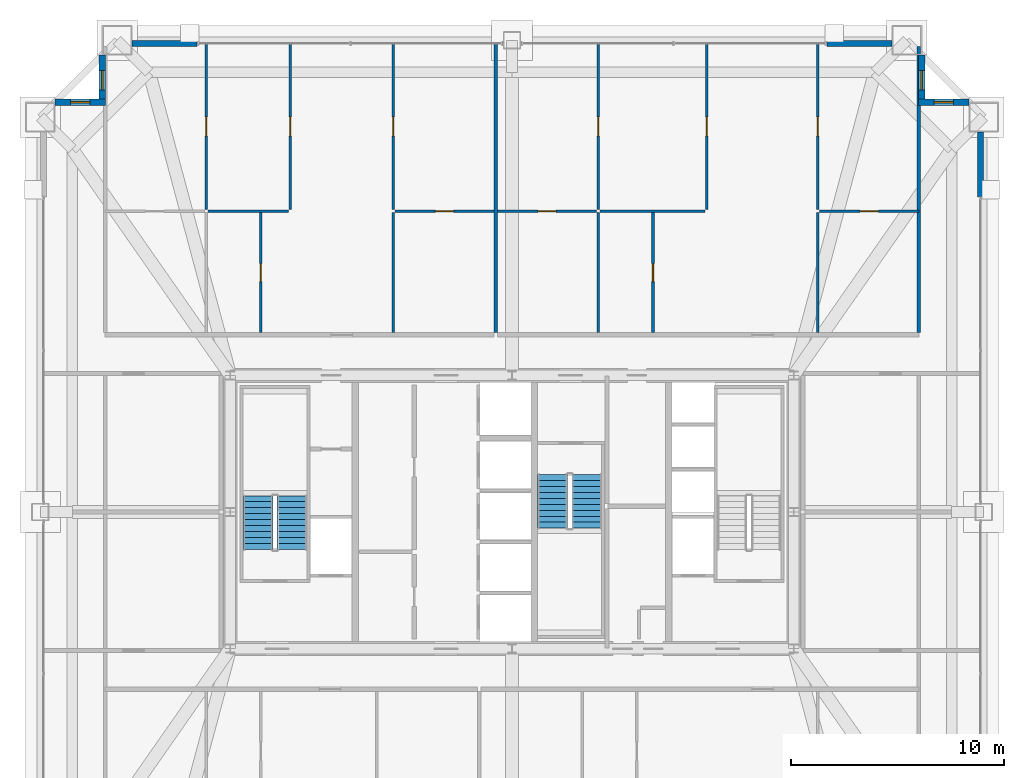
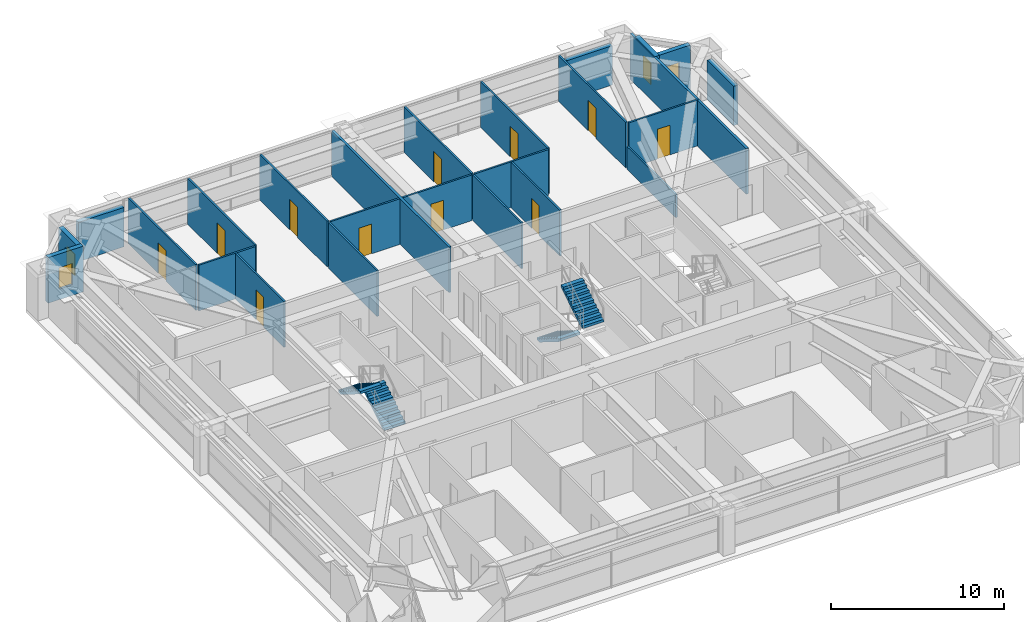
# One storey, part 37 of 39: 25 walls, 11 doors, 4 stair flights, 4 windows, 15 openings, 2 elements without a shape of their own.
"""IFC4 building model written with IfcOpenShell, lengths in metres."""

from ifc_helpers import new_model, si_unit, direction, frame, frame_2d, origin, place, context, subcontext, project, spatial, polyline, rectangle, outline, extrude, source, transform, mapped, material, layer, layer_set, type_object, element, fill, aggregate, save


model = new_model("IFC4")

# Units and contexts
model_context = context("Model", 3, precision=1e-05, world=origin(), true_north=direction((0.0, 1.0)))
body_context = subcontext(model_context, "Body", "Model", "MODEL_VIEW")
ifc_project = project(units=[si_unit("LENGTHUNIT", "METRE"), si_unit("AREAUNIT", "SQUARE_METRE"), si_unit("VOLUMEUNIT", "CUBIC_METRE"), si_unit("PLANEANGLEUNIT", "RADIAN"), si_unit("MASSUNIT", "GRAM", prefix="KILO"), si_unit("THERMODYNAMICTEMPERATUREUNIT", "KELVIN"), si_unit("POWERUNIT", "WATT")], contexts=[model_context])

# Site, building, storey
site_placement = place(None, origin())
site = spatial("IfcSite", under=ifc_project, at=site_placement, CompositionType="ELEMENT")
building_placement = place(site_placement, origin())
building = spatial("IfcBuilding", under=site, at=building_placement, Name="Yuzanri Waterfront Tower", CompositionType="ELEMENT")
storey_placement = place(building_placement, frame((0.0, 0.0, 216.0)))
storey = spatial("IfcBuildingStorey", under=building, at=storey_placement, Name="L57", CompositionType="ELEMENT", Elevation=216.0)

# Wall, opening, door
ifc_material_1 = material(Name="Moisture-Resistant Gypsum Stud Wall", Category="gypsum")
ifc_layer_1 = layer(ifc_material_1, 0.1201171875)
ifc_layer_set_1 = layer_set([ifc_layer_1], Name="Moisture-Resistant Gypsum Stud Wall")
wall_type_1 = type_object("IfcWallType", Name="Bathroom and Kitchen Wet Partition 120", PredefinedType="PARTITIONING", material=ifc_layer_set_1)
wall_1_placement = place(storey_placement, frame((25.22705078125, 34.2099609375, 0.0), z_axis=(0.0, 0.0, 1.0), x_axis=(0.0, 1.0, 0.0)))
wall_1 = element("IfcWall", 1, at=wall_1_placement, inside=storey, type_object=wall_type_1, Name="L57 Partition UW-L57-RN1-SUB-2-E", PredefinedType="PARTITIONING", context=body_context, shape_type="SweptSolid", body=[
    extrude(rectangle(XDim=5.610107421875, YDim=0.1201171875, at=frame_2d((2.80517578125, 0.0))), origin(), (0.0, 0.0, 1.0), 3.219970703125),
])
opening_1_placement = place(wall_1_placement, frame((2.3798828125, 0.0, 0.0)))
opening_1 = element("IfcOpeningElement", 2, at=opening_1_placement, cuts=wall_1, Name="Opening ID-0850", PredefinedType="OPENING", context=body_context, shape_type="SweptSolid", body=[
    extrude(rectangle(XDim=0.85009765625, YDim=2.10009765625, at=frame_2d((0.425048828125, 1.050048828125))), frame((0.0, 0.074951171875, 0.0), z_axis=(0.0, -1.0, 0.0), x_axis=(1.0, 0.0, 0.0)), (0.0, 0.0, 1.0), 0.14990234375),
])
ifc_material_2 = material(Name="Moisture-Resistant Lacquered Timber", Category="wood")
door_type_1 = type_object("IfcDoorType", Name="En-Suite Bathroom and Kitchen Swing Door 850x2100", OperationType="NOTDEFINED", PredefinedType="DOOR", material=ifc_material_2)
shared_shape_1 = source(origin(), body_context, "Body", "SweptSolid", [
    extrude(rectangle(XDim=0.85009765625, YDim=2.10009765625, at=frame_2d((0.425048828125, 1.050048828125))), frame((0.0, 0.02490234375, 0.0), z_axis=(0.0, -1.0, 0.0), x_axis=(1.0, 0.0, 0.0)), (0.0, 0.0, 1.0), 0.050048828125),
])
door_1_placement = place(opening_1_placement, origin())
door_1 = element("IfcDoor", 3, at=door_1_placement, inside=storey, type_object=door_type_1, Name="L57 Suite Interior Room Door", OperationType="SINGLE_SWING_LEFT", OverallHeight=2.10009765625, OverallWidth=0.85009765625, PredefinedType="DOOR", context=body_context, shape_type="MappedRepresentation", body=[
    mapped(shared_shape_1, transform((0.0, 0.0, 0.0), scale=1.0)),
])
fill(opening_1, door_1)

wall_2_placement = place(storey_placement, frame((31.510986328125, 39.89990234375, 0.0), z_axis=(0.0, 0.0, 1.0), x_axis=(1.0, 0.0, 0.0)))
wall_2 = element("IfcWall", 4, at=wall_2_placement, inside=storey, type_object=wall_type_1, Name="L57 Partition UW-L57-RN1-SUB-3-N", PredefinedType="PARTITIONING", context=body_context, shape_type="SweptSolid", body=[
    extrude(rectangle(XDim=4.64697265625, YDim=0.1201171875, at=frame_2d((2.323486328125, 0.0))), origin(), (0.0, 0.0, 1.0), 3.219970703125),
])
opening_2_placement = place(wall_2_placement, frame((1.8984375, 0.0, 0.0)))
opening_2 = element("IfcOpeningElement", 5, at=opening_2_placement, cuts=wall_2, Name="Opening ID-0850", PredefinedType="OPENING", context=body_context, shape_type="SweptSolid", body=[
    extrude(rectangle(XDim=0.85009765625, YDim=2.10009765625, at=frame_2d((0.425048828125, 1.050048828125))), frame((0.0, 0.074951171875, 0.0), z_axis=(0.0, -1.0, 0.0), x_axis=(1.0, 0.0, 0.0)), (0.0, 0.0, 1.0), 0.14990234375),
])
door_2_placement = place(opening_2_placement, origin())
door_2 = element("IfcDoor", 6, at=door_2_placement, inside=storey, type_object=door_type_1, Name="L57 Suite Interior Room Door", OperationType="SINGLE_SWING_RIGHT", OverallHeight=2.10009765625, OverallWidth=0.85009765625, PredefinedType="DOOR", context=body_context, shape_type="MappedRepresentation", body=[
    mapped(shared_shape_1, transform((0.0, 0.0, 0.0), scale=1.0)),
])
fill(opening_2, door_2)

wall_3_placement = place(storey_placement, frame((22.6669921875, 39.97998046875, 0.0), z_axis=(0.0, 0.0, 1.0), x_axis=(0.0, 1.0, 0.0)))
wall_3 = element("IfcWall", 7, at=wall_3_placement, inside=storey, type_object=wall_type_1, Name="L57 Partition UW-L57-RN1-SUB-4-E", PredefinedType="PARTITIONING", context=body_context, shape_type="SweptSolid", body=[
    extrude(rectangle(XDim=7.77001953125, YDim=0.1201171875, at=frame_2d((3.885009765625, 0.0))), origin(), (0.0, 0.0, 1.0), 3.219970703125),
])
opening_3_placement = place(wall_3_placement, frame((3.43505859375, 0.0, 0.0)))
opening_3 = element("IfcOpeningElement", 8, at=opening_3_placement, cuts=wall_3, Name="Opening ID-0900", PredefinedType="OPENING", context=body_context, shape_type="SweptSolid", body=[
    extrude(rectangle(XDim=0.89990234375, YDim=2.14990234375, at=frame_2d((0.449951171875, 1.074951171875))), frame((0.0, 0.074951171875, 0.0), z_axis=(0.0, -1.0, 0.0), x_axis=(1.0, 0.0, 0.0)), (0.0, 0.0, 1.0), 0.14990234375),
])
ifc_material_3 = material(Name="Stained Walnut Veneer Timber", Category="wood")
door_type_2 = type_object("IfcDoorType", Name="Bedroom and Study Interior Swing Door 900x2150", OperationType="NOTDEFINED", PredefinedType="DOOR", material=ifc_material_3)
shared_shape_2 = source(origin(), body_context, "Body", "SweptSolid", [
    extrude(rectangle(XDim=0.89990234375, YDim=2.14990234375, at=frame_2d((0.449951171875, 1.074951171875))), frame((0.0, 0.02490234375, 0.0), z_axis=(0.0, -1.0, 0.0), x_axis=(1.0, 0.0, 0.0)), (0.0, 0.0, 1.0), 0.050048828125),
])
door_3_placement = place(opening_3_placement, origin())
door_3 = element("IfcDoor", 9, at=door_3_placement, inside=storey, type_object=door_type_2, Name="L57 Suite Interior Room Door", OperationType="SINGLE_SWING_LEFT", OverallHeight=2.14990234375, OverallWidth=0.89990234375, PredefinedType="DOOR", context=body_context, shape_type="MappedRepresentation", body=[
    mapped(shared_shape_2, transform((0.0, 0.0, 0.0), scale=1.0)),
])
fill(opening_3, door_3)

wall_4_placement = place(storey_placement, frame((31.430908203125, 39.97998046875, 0.0), z_axis=(0.0, 0.0, 1.0), x_axis=(0.0, 1.0, 0.0)))
wall_4 = element("IfcWall", 10, at=wall_4_placement, inside=storey, type_object=wall_type_1, Name="L57 Partition UW-L57-RN1-SUB-5-W", PredefinedType="PARTITIONING", context=body_context, shape_type="SweptSolid", body=[
    extrude(rectangle(XDim=7.77001953125, YDim=0.1201171875, at=frame_2d((3.885009765625, 0.0))), origin(), (0.0, 0.0, 1.0), 3.219970703125),
])
opening_4_placement = place(wall_4_placement, frame((3.43505859375, 0.0, 0.0)))
opening_4 = element("IfcOpeningElement", 11, at=opening_4_placement, cuts=wall_4, Name="Opening ID-0900", PredefinedType="OPENING", context=body_context, shape_type="SweptSolid", body=[
    extrude(rectangle(XDim=0.89990234375, YDim=2.14990234375, at=frame_2d((0.449951171875, 1.074951171875))), frame((0.0, 0.074951171875, 0.0), z_axis=(0.0, -1.0, 0.0), x_axis=(1.0, 0.0, 0.0)), (0.0, 0.0, 1.0), 0.14990234375),
])
door_4_placement = place(opening_4_placement, origin())
door_4 = element("IfcDoor", 12, at=door_4_placement, inside=storey, type_object=door_type_2, Name="L57 Suite Interior Room Door", OperationType="SINGLE_SWING_RIGHT", OverallHeight=2.14990234375, OverallWidth=0.89990234375, PredefinedType="DOOR", context=body_context, shape_type="MappedRepresentation", body=[
    mapped(shared_shape_2, transform((0.0, 0.0, 0.0), scale=1.0)),
])
fill(opening_4, door_4)

wall_5_placement = place(storey_placement, frame((26.613037109375, 39.97998046875, 0.0), z_axis=(0.0, 0.0, 1.0), x_axis=(0.0, 1.0, 0.0)))
wall_5 = element("IfcWall", 13, at=wall_5_placement, inside=storey, type_object=wall_type_1, Name="L57 Partition UW-L57-RN1-SUB-6-E", PredefinedType="PARTITIONING", context=body_context, shape_type="SweptSolid", body=[
    extrude(rectangle(XDim=7.77001953125, YDim=0.1201171875, at=frame_2d((3.885009765625, 0.0))), origin(), (0.0, 0.0, 1.0), 3.219970703125),
])
opening_5_placement = place(wall_5_placement, frame((3.43505859375, 0.0, 0.0)))
opening_5 = element("IfcOpeningElement", 14, at=opening_5_placement, cuts=wall_5, Name="Opening ID-0900", PredefinedType="OPENING", context=body_context, shape_type="SweptSolid", body=[
    extrude(rectangle(XDim=0.89990234375, YDim=2.14990234375, at=frame_2d((0.449951171875, 1.074951171875))), frame((0.0, 0.074951171875, 0.0), z_axis=(0.0, -1.0, 0.0), x_axis=(1.0, 0.0, 0.0)), (0.0, 0.0, 1.0), 0.14990234375),
])
door_5_placement = place(opening_5_placement, origin())
door_5 = element("IfcDoor", 15, at=door_5_placement, inside=storey, type_object=door_type_2, Name="L57 Suite Interior Room Door", OperationType="SINGLE_SWING_LEFT", OverallHeight=2.14990234375, OverallWidth=0.89990234375, PredefinedType="DOOR", context=body_context, shape_type="MappedRepresentation", body=[
    mapped(shared_shape_2, transform((0.0, 0.0, 0.0), scale=1.0)),
])
fill(opening_5, door_5)

wall_6_placement = place(storey_placement, frame((36.318115234375, 39.89990234375, 0.0), z_axis=(0.0, 0.0, 1.0), x_axis=(1.0, 0.0, 0.0)))
wall_6 = element("IfcWall", 16, at=wall_6_placement, inside=storey, type_object=wall_type_1, Name="L57 Partition UW-L57-RN2-SUB-1-N", PredefinedType="PARTITIONING", context=body_context, shape_type="SweptSolid", body=[
    extrude(rectangle(XDim=4.64697265625, YDim=0.1201171875, at=frame_2d((2.323486328125, 0.0))), origin(), (0.0, 0.0, 1.0), 3.219970703125),
])
opening_6_placement = place(wall_6_placement, frame((1.8984375, 0.0, 0.0)))
opening_6 = element("IfcOpeningElement", 17, at=opening_6_placement, cuts=wall_6, Name="Opening ID-0850", PredefinedType="OPENING", context=body_context, shape_type="SweptSolid", body=[
    extrude(rectangle(XDim=0.85009765625, YDim=2.10009765625, at=frame_2d((0.425048828125, 1.050048828125))), frame((0.0, 0.074951171875, 0.0), z_axis=(0.0, -1.0, 0.0), x_axis=(1.0, 0.0, 0.0)), (0.0, 0.0, 1.0), 0.14990234375),
])
door_6_placement = place(opening_6_placement, origin())
door_6 = element("IfcDoor", 18, at=door_6_placement, inside=storey, type_object=door_type_1, Name="L57 Suite Interior Room Door", OperationType="SINGLE_SWING_LEFT", OverallHeight=2.10009765625, OverallWidth=0.85009765625, PredefinedType="DOOR", context=body_context, shape_type="MappedRepresentation", body=[
    mapped(shared_shape_1, transform((0.0, 0.0, 0.0), scale=1.0)),
])
fill(opening_6, door_6)

wall_7_placement = place(storey_placement, frame((43.60498046875, 34.2099609375, 0.0), z_axis=(0.0, 0.0, 1.0), x_axis=(0.0, 1.0, 0.0)))
wall_7 = element("IfcWall", 19, at=wall_7_placement, inside=storey, type_object=wall_type_1, Name="L57 Partition UW-L57-RN2-SUB-2-E", PredefinedType="PARTITIONING", context=body_context, shape_type="SweptSolid", body=[
    extrude(rectangle(XDim=5.610107421875, YDim=0.1201171875, at=frame_2d((2.80517578125, 0.0))), origin(), (0.0, 0.0, 1.0), 3.219970703125),
])
opening_7_placement = place(wall_7_placement, frame((2.3798828125, 0.0, 0.0)))
opening_7 = element("IfcOpeningElement", 20, at=opening_7_placement, cuts=wall_7, Name="Opening ID-0850", PredefinedType="OPENING", context=body_context, shape_type="SweptSolid", body=[
    extrude(rectangle(XDim=0.85009765625, YDim=2.10009765625, at=frame_2d((0.425048828125, 1.050048828125))), frame((0.0, 0.074951171875, 0.0), z_axis=(0.0, -1.0, 0.0), x_axis=(1.0, 0.0, 0.0)), (0.0, 0.0, 1.0), 0.14990234375),
])
door_7_placement = place(opening_7_placement, origin())
door_7 = element("IfcDoor", 21, at=door_7_placement, inside=storey, type_object=door_type_1, Name="L57 Suite Interior Room Door", OperationType="SINGLE_SWING_RIGHT", OverallHeight=2.10009765625, OverallWidth=0.85009765625, PredefinedType="DOOR", context=body_context, shape_type="MappedRepresentation", body=[
    mapped(shared_shape_1, transform((0.0, 0.0, 0.0), scale=1.0)),
])
fill(opening_7, door_7)

wall_8_placement = place(storey_placement, frame((51.4130859375, 39.89990234375, 0.0), z_axis=(0.0, 0.0, 1.0), x_axis=(1.0, 0.0, 0.0)))
wall_8 = element("IfcWall", 22, at=wall_8_placement, inside=storey, type_object=wall_type_1, Name="L57 Partition UW-L57-RN2-SUB-3-N", PredefinedType="PARTITIONING", context=body_context, shape_type="SweptSolid", body=[
    extrude(rectangle(XDim=4.64697265625, YDim=0.1201171875, at=frame_2d((2.323486328125, 0.0))), origin(), (0.0, 0.0, 1.0), 3.219970703125),
])
opening_8_placement = place(wall_8_placement, frame((1.8984375, 0.0, 0.0)))
opening_8 = element("IfcOpeningElement", 23, at=opening_8_placement, cuts=wall_8, Name="Opening ID-0850", PredefinedType="OPENING", context=body_context, shape_type="SweptSolid", body=[
    extrude(rectangle(XDim=0.85009765625, YDim=2.10009765625, at=frame_2d((0.425048828125, 1.050048828125))), frame((0.0, 0.074951171875, 0.0), z_axis=(0.0, -1.0, 0.0), x_axis=(1.0, 0.0, 0.0)), (0.0, 0.0, 1.0), 0.14990234375),
])
door_8_placement = place(opening_8_placement, origin())
door_8 = element("IfcDoor", 24, at=door_8_placement, inside=storey, type_object=door_type_1, Name="L57 Suite Interior Room Door", OperationType="SINGLE_SWING_LEFT", OverallHeight=2.10009765625, OverallWidth=0.85009765625, PredefinedType="DOOR", context=body_context, shape_type="MappedRepresentation", body=[
    mapped(shared_shape_1, transform((0.0, 0.0, 0.0), scale=1.0)),
])
fill(opening_8, door_8)

wall_9_placement = place(storey_placement, frame((41.044921875, 39.97998046875, 0.0), z_axis=(0.0, 0.0, 1.0), x_axis=(0.0, 1.0, 0.0)))
wall_9 = element("IfcWall", 25, at=wall_9_placement, inside=storey, type_object=wall_type_1, Name="L57 Partition UW-L57-RN2-SUB-4-E", PredefinedType="PARTITIONING", context=body_context, shape_type="SweptSolid", body=[
    extrude(rectangle(XDim=7.77001953125, YDim=0.1201171875, at=frame_2d((3.885009765625, 0.0))), origin(), (0.0, 0.0, 1.0), 3.219970703125),
])
opening_9_placement = place(wall_9_placement, frame((3.43505859375, 0.0, 0.0)))
opening_9 = element("IfcOpeningElement", 26, at=opening_9_placement, cuts=wall_9, Name="Opening ID-0900", PredefinedType="OPENING", context=body_context, shape_type="SweptSolid", body=[
    extrude(rectangle(XDim=0.89990234375, YDim=2.14990234375, at=frame_2d((0.449951171875, 1.074951171875))), frame((0.0, 0.074951171875, 0.0), z_axis=(0.0, -1.0, 0.0), x_axis=(1.0, 0.0, 0.0)), (0.0, 0.0, 1.0), 0.14990234375),
])
door_9_placement = place(opening_9_placement, origin())
door_9 = element("IfcDoor", 27, at=door_9_placement, inside=storey, type_object=door_type_2, Name="L57 Suite Interior Room Door", OperationType="SINGLE_SWING_RIGHT", OverallHeight=2.14990234375, OverallWidth=0.89990234375, PredefinedType="DOOR", context=body_context, shape_type="MappedRepresentation", body=[
    mapped(shared_shape_2, transform((0.0, 0.0, 0.0), scale=1.0)),
])
fill(opening_9, door_9)

wall_10_placement = place(storey_placement, frame((51.3330078125, 39.97998046875, 0.0), z_axis=(0.0, 0.0, 1.0), x_axis=(0.0, 1.0, 0.0)))
wall_10 = element("IfcWall", 28, at=wall_10_placement, inside=storey, type_object=wall_type_1, Name="L57 Partition UW-L57-RN2-SUB-5-W", PredefinedType="PARTITIONING", context=body_context, shape_type="SweptSolid", body=[
    extrude(rectangle(XDim=7.77001953125, YDim=0.1201171875, at=frame_2d((3.885009765625, 0.0))), origin(), (0.0, 0.0, 1.0), 3.219970703125),
])
opening_10_placement = place(wall_10_placement, frame((3.43505859375, 0.0, 0.0)))
opening_10 = element("IfcOpeningElement", 29, at=opening_10_placement, cuts=wall_10, Name="Opening ID-0900", PredefinedType="OPENING", context=body_context, shape_type="SweptSolid", body=[
    extrude(rectangle(XDim=0.89990234375, YDim=2.14990234375, at=frame_2d((0.449951171875, 1.074951171875))), frame((0.0, 0.074951171875, 0.0), z_axis=(0.0, -1.0, 0.0), x_axis=(1.0, 0.0, 0.0)), (0.0, 0.0, 1.0), 0.14990234375),
])
door_10_placement = place(opening_10_placement, origin())
door_10 = element("IfcDoor", 30, at=door_10_placement, inside=storey, type_object=door_type_2, Name="L57 Suite Interior Room Door", OperationType="SINGLE_SWING_LEFT", OverallHeight=2.14990234375, OverallWidth=0.89990234375, PredefinedType="DOOR", context=body_context, shape_type="MappedRepresentation", body=[
    mapped(shared_shape_2, transform((0.0, 0.0, 0.0), scale=1.0)),
])
fill(opening_10, door_10)

wall_11_placement = place(storey_placement, frame((46.133056640625, 39.97998046875, 0.0), z_axis=(0.0, 0.0, 1.0), x_axis=(0.0, 1.0, 0.0)))
wall_11 = element("IfcWall", 31, at=wall_11_placement, inside=storey, type_object=wall_type_1, Name="L57 Partition UW-L57-RN2-SUB-6-E", PredefinedType="PARTITIONING", context=body_context, shape_type="SweptSolid", body=[
    extrude(rectangle(XDim=7.77001953125, YDim=0.1201171875, at=frame_2d((3.885009765625, 0.0))), origin(), (0.0, 0.0, 1.0), 3.219970703125),
])
opening_11_placement = place(wall_11_placement, frame((3.43505859375, 0.0, 0.0)))
opening_11 = element("IfcOpeningElement", 32, at=opening_11_placement, cuts=wall_11, Name="Opening ID-0900", PredefinedType="OPENING", context=body_context, shape_type="SweptSolid", body=[
    extrude(rectangle(XDim=0.89990234375, YDim=2.14990234375, at=frame_2d((0.449951171875, 1.074951171875))), frame((0.0, 0.074951171875, 0.0), z_axis=(0.0, -1.0, 0.0), x_axis=(1.0, 0.0, 0.0)), (0.0, 0.0, 1.0), 0.14990234375),
])
door_11_placement = place(opening_11_placement, origin())
door_11 = element("IfcDoor", 33, at=door_11_placement, inside=storey, type_object=door_type_2, Name="L57 Suite Interior Room Door", OperationType="SINGLE_SWING_RIGHT", OverallHeight=2.14990234375, OverallWidth=0.89990234375, PredefinedType="DOOR", context=body_context, shape_type="MappedRepresentation", body=[
    mapped(shared_shape_2, transform((0.0, 0.0, 0.0), scale=1.0)),
])
fill(opening_11, door_11)

# Wall, opening, window
ifc_material_4 = material(Name="Honed Chongqing Dark Basalt Stone", Category="masonry")
ifc_layer_2 = layer(ifc_material_4, 0.300048828125)
ifc_layer_set_2 = layer_set([ifc_layer_2], Name="Honed Chongqing Dark Basalt Stone")
wall_type_2 = type_object("IfcWallType", Name="Bronze Rainscreen Insulated Spandrel Portal Wall 300", PredefinedType="SOLIDWALL", material=ifc_layer_set_2)
wall_12_placement = place(storey_placement, frame((17.949951171875, 45.0, 0.0), z_axis=(0.0, 0.0, 1.0), x_axis=(-1.0, 0.0, 0.0)))
wall_12 = element("IfcWall", 34, at=wall_12_placement, inside=storey, type_object=wall_type_2, Name="L57 Notched Corner Masonry Wall NW-X", PredefinedType="SOLIDWALL", context=body_context, shape_type="SweptSolid", body=[
    extrude(rectangle(XDim=2.349853515625, YDim=0.300048828125, at=frame_2d((1.1748046875, 0.0))), origin(), (0.0, 0.0, 1.0), 3.219970703125),
])
opening_12_placement = place(wall_12_placement, frame((0.72509765625, 0.0, 0.75)))
opening_12 = element("IfcOpeningElement", 35, at=opening_12_placement, cuts=wall_12, Name="Opening WN-05", PredefinedType="OPENING", context=body_context, shape_type="SweptSolid", body=[
    extrude(rectangle(XDim=0.89990234375, YDim=1.5, at=frame_2d((0.449951171875, 0.75))), frame((0.0, 0.1650390625, 0.0), z_axis=(0.0, -1.0, 0.0), x_axis=(1.0, 0.0, 0.0)), (0.0, 0.0, 1.0), 0.329833984375),
])
ifc_material_5 = material(Name="Double-Silver Low-E Insulated Glass", Category="glass")
window_type = type_object("IfcWindowType", Name="Anodized Bronze Service and Stairwell Smoke-Vent Window 900x1500", PartitioningType="SINGLE_PANEL", PredefinedType="WINDOW", material=ifc_material_5)
shared_shape_3 = source(origin(), body_context, "Body", "SweptSolid", [
    extrude(rectangle(XDim=0.89990234375, YDim=1.5, at=frame_2d((0.449951171875, 0.75))), frame((0.0, 0.030029296875, 0.0), z_axis=(0.0, -1.0, 0.0), x_axis=(1.0, 0.0, 0.0)), (0.0, 0.0, 1.0), 0.06005859375),
])
window_1_placement = place(opening_12_placement, origin())
window_1 = element("IfcWindow", 36, at=window_1_placement, inside=storey, type_object=window_type, Name="L57 Notched Corner Window NW-X", OverallHeight=1.5, OverallWidth=0.89990234375, PartitioningType="SINGLE_PANEL", PredefinedType="WINDOW", context=body_context, shape_type="MappedRepresentation", body=[
    mapped(shared_shape_3, transform((0.0, 0.0, 0.0), scale=1.0)),
])
fill(opening_12, window_1)

wall_13_placement = place(storey_placement, frame((17.800048828125, 47.199951171875, 0.0), z_axis=(0.0, 0.0, 1.0), x_axis=(0.0, -1.0, 0.0)))
wall_13 = element("IfcWall", 37, at=wall_13_placement, inside=storey, type_object=wall_type_2, Name="L57 Notched Corner Masonry Wall NW-Y", PredefinedType="SOLIDWALL", context=body_context, shape_type="SweptSolid", body=[
    extrude(rectangle(XDim=2.349853515625, YDim=0.300048828125, at=frame_2d((1.1748046875, 0.0))), origin(), (0.0, 0.0, 1.0), 3.219970703125),
])
opening_13_placement = place(wall_13_placement, frame((0.72509765625, 0.0, 0.75)))
opening_13 = element("IfcOpeningElement", 38, at=opening_13_placement, cuts=wall_13, Name="Opening WN-05", PredefinedType="OPENING", context=body_context, shape_type="SweptSolid", body=[
    extrude(rectangle(XDim=0.89990234375, YDim=1.5, at=frame_2d((0.449951171875, 0.75))), frame((0.0, 0.1650390625, 0.0), z_axis=(0.0, -1.0, 0.0), x_axis=(1.0, 0.0, 0.0)), (0.0, 0.0, 1.0), 0.329833984375),
])
window_2_placement = place(opening_13_placement, origin())
window_2 = element("IfcWindow", 39, at=window_2_placement, inside=storey, type_object=window_type, Name="L57 Notched Corner Window NW-Y", OverallHeight=1.5, OverallWidth=0.89990234375, PartitioningType="SINGLE_PANEL", PredefinedType="WINDOW", context=body_context, shape_type="MappedRepresentation", body=[
    mapped(shared_shape_3, transform((0.0, 0.0, 0.0), scale=1.0)),
])
fill(opening_13, window_2)

wall_14_placement = place(storey_placement, frame((58.39990234375, 45.0, 0.0), z_axis=(0.0, 0.0, 1.0), x_axis=(-1.0, 0.0, 0.0)))
wall_14 = element("IfcWall", 40, at=wall_14_placement, inside=storey, type_object=wall_type_2, Name="L57 Notched Corner Masonry Wall NE-X", PredefinedType="SOLIDWALL", context=body_context, shape_type="SweptSolid", body=[
    extrude(rectangle(XDim=2.349853515625, YDim=0.300048828125, at=frame_2d((1.1748046875, 0.0))), origin(), (0.0, 0.0, 1.0), 3.219970703125),
])
opening_14_placement = place(wall_14_placement, frame((0.72509765625, 0.0, 0.75)))
opening_14 = element("IfcOpeningElement", 41, at=opening_14_placement, cuts=wall_14, Name="Opening WN-05", PredefinedType="OPENING", context=body_context, shape_type="SweptSolid", body=[
    extrude(rectangle(XDim=0.89990234375, YDim=1.5, at=frame_2d((0.449951171875, 0.75))), frame((0.0, 0.1650390625, 0.0), z_axis=(0.0, -1.0, 0.0), x_axis=(1.0, 0.0, 0.0)), (0.0, 0.0, 1.0), 0.329833984375),
])
window_3_placement = place(opening_14_placement, origin())
window_3 = element("IfcWindow", 42, at=window_3_placement, inside=storey, type_object=window_type, Name="L57 Notched Corner Window NE-X", OverallHeight=1.5, OverallWidth=0.89990234375, PartitioningType="SINGLE_PANEL", PredefinedType="WINDOW", context=body_context, shape_type="MappedRepresentation", body=[
    mapped(shared_shape_3, transform((0.0, 0.0, 0.0), scale=1.0)),
])
fill(opening_14, window_3)

wall_15_placement = place(storey_placement, frame((56.199951171875, 44.85009765625, 0.0), z_axis=(0.0, 0.0, 1.0), x_axis=(0.0, 1.0, 0.0)))
wall_15 = element("IfcWall", 43, at=wall_15_placement, inside=storey, type_object=wall_type_2, Name="L57 Notched Corner Masonry Wall NE-Y", PredefinedType="SOLIDWALL", context=body_context, shape_type="SweptSolid", body=[
    extrude(rectangle(XDim=2.349853515625, YDim=0.300048828125, at=frame_2d((1.1748046875, 0.0))), origin(), (0.0, 0.0, 1.0), 3.219970703125),
])
opening_15_placement = place(wall_15_placement, frame((0.72509765625, 0.0, 0.75)))
opening_15 = element("IfcOpeningElement", 44, at=opening_15_placement, cuts=wall_15, Name="Opening WN-05", PredefinedType="OPENING", context=body_context, shape_type="SweptSolid", body=[
    extrude(rectangle(XDim=0.89990234375, YDim=1.5, at=frame_2d((0.449951171875, 0.75))), frame((0.0, 0.1650390625, 0.0), z_axis=(0.0, -1.0, 0.0), x_axis=(1.0, 0.0, 0.0)), (0.0, 0.0, 1.0), 0.329833984375),
])
window_4_placement = place(opening_15_placement, origin())
window_4 = element("IfcWindow", 45, at=window_4_placement, inside=storey, type_object=window_type, Name="L57 Notched Corner Window NE-Y", OverallHeight=1.5, OverallWidth=0.89990234375, PartitioningType="SINGLE_PANEL", PredefinedType="WINDOW", context=body_context, shape_type="MappedRepresentation", body=[
    mapped(shared_shape_3, transform((0.0, 0.0, 0.0), scale=1.0)),
])
fill(opening_15, window_4)

# Walls
shared_shape_4 = source(origin(), body_context, "Body", "SweptSolid", [
    extrude(rectangle(XDim=3.050048828125, YDim=0.300048828125, at=frame_2d((1.52490234375, 0.0))), origin(), (0.0, 0.0, 1.0), 2.77490234375),
])
for number, where, z_axis, x_axis, name in (
    (46, (19.199951171875, 47.75, 0.0), (0.0, 0.0, 1.0), (1.0, 0.0, 0.0), "L57 N Left Braced Masonry Shoulder"),
    (47, (51.75, 47.75, 0.0), (0.0, 0.0, 1.0), (1.0, 0.0, 0.0), "L57 N Right Braced Masonry Shoulder"),
    (48, (58.949951171875, 40.550048828125, 0.0), (0.0, 0.0, 1.0), (0.0, 1.0, 0.0), "L57 E Right Braced Masonry Shoulder"),
):
    element("IfcWall", number, at=place(storey_placement, frame(where, z_axis=z_axis, x_axis=x_axis)), inside=storey, type_object=wall_type_2, Name=name, PredefinedType="SOLIDWALL", context=body_context, shape_type="MappedRepresentation", body=[
        mapped(shared_shape_4, transform((0.0, 0.0, 0.0), scale=1.0)),
    ])
ifc_material_6 = material(Name="Gypsum Fireboard Acoustic Stud Wall", Category="gypsum")
ifc_layer_3 = layer(ifc_material_6, 0.159912109375)
ifc_layer_set_3 = layer_set([ifc_layer_3], Name="Gypsum Fireboard Acoustic Stud Wall")
wall_type_3 = type_object("IfcWallType", Name="Acoustic Suite Demising Partition 160", PredefinedType="PARTITIONING", material=ifc_layer_set_3)
shared_shape_5 = source(origin(), body_context, "Body", "SweptSolid", [
    extrude(rectangle(XDim=13.5400390625, YDim=0.159912109375, at=frame_2d((6.77001953125, 0.0))), origin(), (0.0, 0.0, 1.0), 3.219970703125),
])
wall_16_placement = place(storey_placement, frame((36.238037109375, 34.2099609375, 0.0), z_axis=(0.0, 0.0, 1.0), x_axis=(0.0, 1.0, 0.0)))
element("IfcWall", 49, at=wall_16_placement, inside=storey, type_object=wall_type_3, Name="L57-RN1 Party Wall", PredefinedType="PARTITIONING", context=body_context, shape_type="MappedRepresentation", body=[
    mapped(shared_shape_5, transform((0.0, 0.0, 0.0), scale=1.0)),
])
shared_shape_6 = source(origin(), body_context, "Body", "SweptSolid", [
    extrude(rectangle(XDim=5.610107421875, YDim=0.1201171875, at=frame_2d((2.80517578125, 0.0))), origin(), (0.0, 0.0, 1.0), 1.614990234375),
])
wall_17_placement = place(storey_placement, frame((51.3330078125, 34.2099609375, 0.0), z_axis=(0.0, 0.0, 1.0), x_axis=(0.0, 1.0, 0.0)))
element("IfcWall", 50, at=wall_17_placement, inside=storey, type_object=wall_type_1, Name="L57 Partition UW-L57-RN2-SUB-3-W", PredefinedType="PARTITIONING", context=body_context, shape_type="MappedRepresentation", body=[
    mapped(shared_shape_6, transform((0.0, 0.0, 0.0), scale=1.0)),
])
shared_shape_7 = source(origin(), body_context, "Body", "SweptSolid", [
    extrude(rectangle(XDim=5.610107421875, YDim=0.1201171875, at=frame_2d((2.80517578125, 0.0))), origin(), (0.0, 0.0, 1.0), 3.219970703125),
])
for number, where, z_axis, x_axis, name in (
    (51, (31.430908203125, 34.2099609375, 0.0), (0.0, 0.0, 1.0), (0.0, 1.0, 0.0), "L57 Partition UW-L57-RN1-SUB-3-W"),
    (52, (41.044921875, 34.2099609375, 0.0), (0.0, 0.0, 1.0), (0.0, 1.0, 0.0), "L57 Partition UW-L57-RN2-SUB-1-E"),
):
    element("IfcWall", number, at=place(storey_placement, frame(where, z_axis=z_axis, x_axis=x_axis)), inside=storey, type_object=wall_type_1, Name=name, PredefinedType="PARTITIONING", context=body_context, shape_type="MappedRepresentation", body=[
        mapped(shared_shape_7, transform((0.0, 0.0, 0.0), scale=1.0)),
    ])
shared_shape_8 = source(origin(), body_context, "Body", "SweptSolid", [
    extrude(rectangle(XDim=3.785888671875, YDim=0.1201171875, at=frame_2d((1.89306640625, 0.0))), origin(), (0.0, 0.0, 1.0), 3.219970703125),
])
wall_18_placement = place(storey_placement, frame((22.7470703125, 39.89990234375, 0.0), z_axis=(0.0, 0.0, 1.0), x_axis=(1.0, 0.0, 0.0)))
element("IfcWall", 53, at=wall_18_placement, inside=storey, type_object=wall_type_1, Name="L57 Partition UW-L57-RN1-SUB-6-S", PredefinedType="PARTITIONING", context=body_context, shape_type="MappedRepresentation", body=[
    mapped(shared_shape_8, transform((0.0, 0.0, 0.0), scale=1.0)),
])
shared_shape_9 = source(origin(), body_context, "Body", "SweptSolid", [
    extrude(rectangle(XDim=13.39013671875, YDim=0.159912109375, at=frame_2d((6.695068359375, 0.0))), origin(), (0.0, 0.0, 1.0), 3.219970703125),
])
wall_19_placement = place(storey_placement, frame((56.050048828125, 34.2099609375, 0.0), z_axis=(0.0, 0.0, 1.0), x_axis=(0.0, 1.0, 0.0)))
element("IfcWall", 54, at=wall_19_placement, inside=storey, type_object=wall_type_3, Name="L57 North Band East End Wall", PredefinedType="PARTITIONING", context=body_context, shape_type="MappedRepresentation", body=[
    mapped(shared_shape_9, transform((0.0, 0.0, 0.0), scale=1.0)),
])
shared_shape_10 = source(origin(), body_context, "Body", "SweptSolid", [
    extrude(rectangle(XDim=4.927978515625, YDim=0.1201171875, at=frame_2d((2.4638671875, 0.0))), origin(), (0.0, 0.0, 1.0), 3.219970703125),
])
wall_20_placement = place(storey_placement, frame((41.125, 39.89990234375, 0.0), z_axis=(0.0, 0.0, 1.0), x_axis=(1.0, 0.0, 0.0)))
element("IfcWall", 55, at=wall_20_placement, inside=storey, type_object=wall_type_1, Name="L57 Partition UW-L57-RN2-SUB-6-S", PredefinedType="PARTITIONING", context=body_context, shape_type="MappedRepresentation", body=[
    mapped(shared_shape_10, transform((0.0, 0.0, 0.0), scale=1.0)),
])

# Stair, stair flights
ifc_material_7 = material(Name="Concrete C40", Category="concrete")
stair_type = type_object("IfcStairType", Name="Concrete C40 Core Dogleg Exit Stair", PredefinedType="HALF_TURN_STAIR", material=ifc_material_7)
stair_1_placement = place(storey_placement, origin())
stair_1 = element("IfcStair", 56, at=stair_1_placement, inside=storey, type_object=stair_type, Name="L57 Smoke-Proof Core Stair ST-01", PredefinedType="HALF_TURN_STAIR")
ifc_material_8 = material(Name="Concrete C40", Category="concrete")
stair_flight_type = type_object("IfcStairFlightType", Name="Concrete C40 Precast Stair Flight 1380", PredefinedType="STRAIGHT", material=ifc_material_8)
shared_shape_11 = source(origin(), body_context, "Body", "SweptSolid", [
    extrude(outline(polyline([(0.0, 0.0), (0.0, 0.175048828125), (0.280029296875, 0.175048828125), (0.280029296875, 0.35009765625), (0.56005859375, 0.35009765625), (0.56005859375, 0.52490234375), (0.840087890625, 0.52490234375), (0.840087890625, 0.699951171875), (1.1201171875, 0.699951171875), (1.1201171875, 0.875), (1.39990234375, 0.875), (1.39990234375, 1.050048828125), (1.679931640625, 1.050048828125), (1.679931640625, 1.22509765625), (1.9599609375, 1.22509765625), (1.9599609375, 1.39990234375), (2.239990234375, 1.39990234375), (2.239990234375, 1.574951171875), (2.52001953125, 1.574951171875), (2.52001953125, 1.75), (2.52001953125, 1.398193359375), (0.28271484375, 0.0), (0.0, 0.0)])), frame((0.0, 0.699951171875, 0.0), z_axis=(0.0, -1.0, 0.0), x_axis=(1.0, 0.0, 0.0)), (0.0, 0.0, 1.0), 1.39990234375),
])
stair_flight_1_placement = place(storey_placement, frame((26.699951171875, 24.0400390625, 0.0), z_axis=(0.0, 0.0, 1.0), x_axis=(0.0, 1.0, 0.0)))
stair_flight_1 = element("IfcStairFlight", 57, at=stair_flight_1_placement, type_object=stair_flight_type, Name="ST-01 flight 1", NumberOfRisers=10, NumberOfTreads=9, PredefinedType="STRAIGHT", RiserHeight=0.175, TreadLength=0.28, context=body_context, shape_type="MappedRepresentation", body=[
    mapped(shared_shape_11, transform((0.0, 0.0, 0.0), scale=1.0)),
])
stair_flight_2_placement = place(storey_placement, frame((25.10009765625, 26.56005859375, 1.75), z_axis=(0.0, 0.0, 1.0), x_axis=(0.0, -1.0, 0.0)))
stair_flight_2 = element("IfcStairFlight", 58, at=stair_flight_2_placement, type_object=stair_flight_type, Name="ST-01 flight 2", NumberOfRisers=10, NumberOfTreads=9, PredefinedType="STRAIGHT", RiserHeight=0.175, TreadLength=0.28, context=body_context, shape_type="MappedRepresentation", body=[
    mapped(shared_shape_11, transform((0.0, 0.0, 0.0), scale=1.0)),
])
aggregate(stair_1, [stair_flight_1, stair_flight_2])

stair_2_placement = place(storey_placement, origin())
stair_2 = element("IfcStair", 59, at=stair_2_placement, inside=storey, type_object=stair_type, Name="L57 Smoke-Proof Core Stair ST-03", PredefinedType="HALF_TURN_STAIR")
stair_flight_3_placement = place(storey_placement, frame((38.89990234375, 27.56005859375, 0.0), z_axis=(0.0, 0.0, 1.0), x_axis=(0.0, -1.0, 0.0)))
stair_flight_3 = element("IfcStairFlight", 60, at=stair_flight_3_placement, type_object=stair_flight_type, Name="ST-03 flight 1", NumberOfRisers=10, NumberOfTreads=9, PredefinedType="STRAIGHT", RiserHeight=0.175, TreadLength=0.28, context=body_context, shape_type="MappedRepresentation", body=[
    mapped(shared_shape_11, transform((0.0, 0.0, 0.0), scale=1.0)),
])
stair_flight_4_placement = place(storey_placement, frame((40.5, 25.0400390625, 1.75), z_axis=(0.0, 0.0, 1.0), x_axis=(0.0, 1.0, 0.0)))
stair_flight_4 = element("IfcStairFlight", 61, at=stair_flight_4_placement, type_object=stair_flight_type, Name="ST-03 flight 2", NumberOfRisers=10, NumberOfTreads=9, PredefinedType="STRAIGHT", RiserHeight=0.175, TreadLength=0.28, context=body_context, shape_type="MappedRepresentation", body=[
    mapped(shared_shape_11, transform((0.0, 0.0, 0.0), scale=1.0)),
])
aggregate(stair_2, [stair_flight_3, stair_flight_4])

save(model, "model.ifc")
